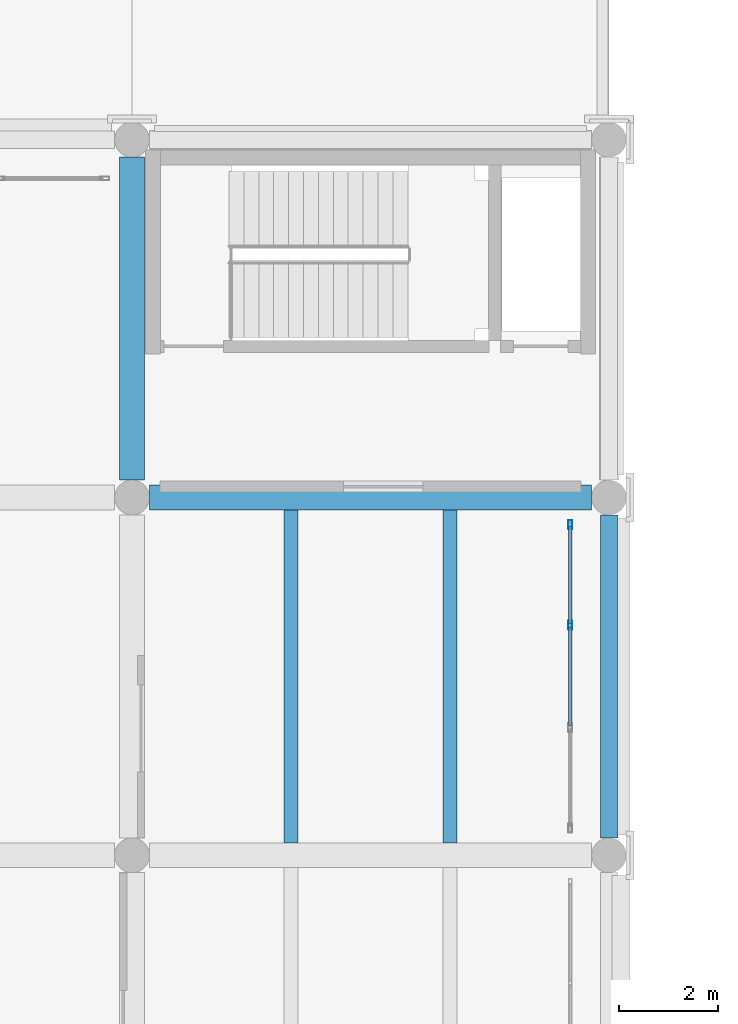
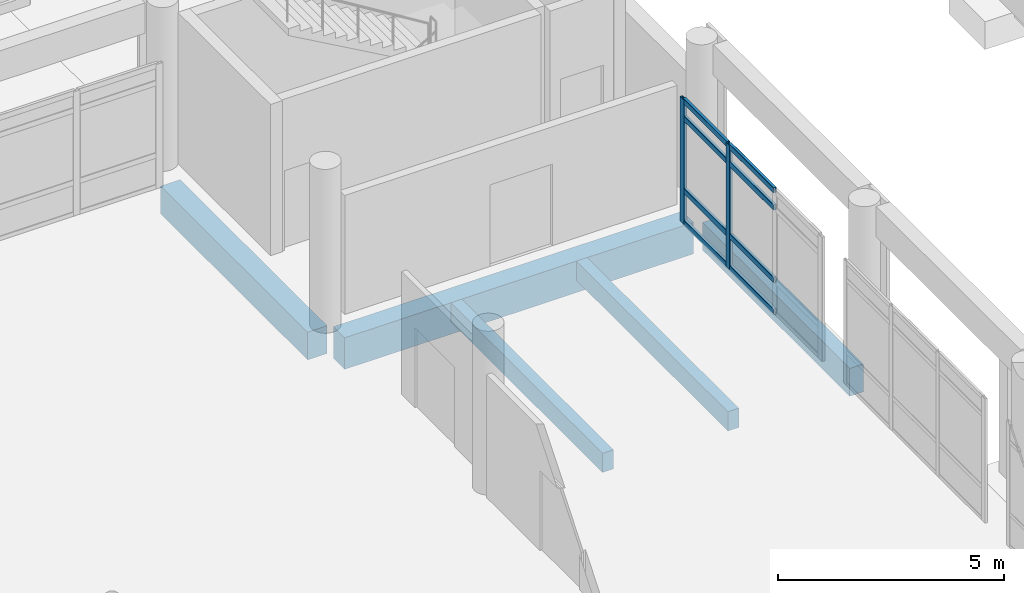
# One storey, part 43 of 196: 10 members, 5 beams, 1 element without a shape of its own.
"""IFC4 building model written with IfcOpenShell, lengths in metres."""

from ifc_helpers import new_model, si_unit, direction, frame, origin, origin_2d, place, context, subcontext, project, spatial, rectangle, hollow_rectangle, extrude, material, layer, layer_set, material_profile, profile_set, type_object, element, aggregate, save


model = new_model("IFC4")

# Units and contexts
model_context = context("Model", 3, precision=1e-05, world=origin(), true_north=direction((0.0, 1.0)))
body_context = subcontext(model_context, "Body", "Model", "MODEL_VIEW")
ifc_project = project(units=[si_unit("LENGTHUNIT", "METRE"), si_unit("AREAUNIT", "SQUARE_METRE"), si_unit("VOLUMEUNIT", "CUBIC_METRE"), si_unit("PLANEANGLEUNIT", "RADIAN"), si_unit("MASSUNIT", "GRAM", prefix="KILO")], contexts=[model_context])

# Site, building, storey
site_placement = place(None, origin())
site = spatial("IfcSite", under=ifc_project, at=site_placement, CompositionType="ELEMENT")
building_placement = place(site_placement, origin())
building = spatial("IfcBuilding", under=site, at=building_placement, Name="Asteropetra Specialist Clinic", CompositionType="ELEMENT")
storey_placement = place(building_placement, origin())
storey = spatial("IfcBuildingStorey", under=building, at=storey_placement, Name="L00", CompositionType="ELEMENT", Elevation=0.0)

# Beams
ifc_material_1 = material(Name="Concrete C35/45", Category="concrete")
ifc_material_profile_1 = material_profile(ifc_material_1, rectangle(XDim=0.5, YDim=0.75, at=origin_2d()), Name="RCB 500x750")
ifc_profile_set_1 = profile_set([ifc_material_profile_1], Name="Concrete C35/45")
beam_type_1 = type_object("IfcBeamType", Name="BM-RC500x750", PredefinedType="BEAM", material=ifc_profile_set_1)
beam_1_placement = place(storey_placement, frame((48.0, 19.550048828125, -0.715087890625), z_axis=(0.0, 1.0, 0.0), x_axis=(-1.0, 0.0, 0.0)))
element("IfcBeam", 1, at=beam_1_placement, inside=storey, type_object=beam_type_1, Name="Beam BBM04-0093", PredefinedType="BEAM", context=body_context, shape_type="SweptSolid", body=[
    extrude(rectangle(XDim=0.5, YDim=0.75, at=origin_2d()), origin(), (0.0, 0.0, 1.0), 6.5),
])
ifc_material_2 = material(Name="Concrete C35/45", Category="concrete")
ifc_material_profile_2 = material_profile(ifc_material_2, rectangle(XDim=0.5, YDim=0.85009765625, at=origin_2d()), Name="RCB 500x850")
ifc_profile_set_2 = profile_set([ifc_material_profile_2], Name="Concrete C35/45")
beam_type_2 = type_object("IfcBeamType", Name="BM-RC500x850", PredefinedType="BEAM", material=ifc_profile_set_2)
beam_2_placement = place(storey_placement, frame((48.35009765625, 19.199951171875, -0.764892578125), z_axis=(1.0, 0.0, 0.0), x_axis=(0.0, 1.0, 0.0)))
element("IfcBeam", 2, at=beam_2_placement, inside=storey, type_object=beam_type_2, Name="Beam BBM03-0024", PredefinedType="BEAM", context=body_context, shape_type="SweptSolid", body=[
    extrude(rectangle(XDim=0.5, YDim=0.85009765625, at=origin_2d()), origin(), (0.0, 0.0, 1.0), 8.89990234375),
])

# Curtain wall, members
ifc_material_3 = material(Name="Aluminium and low-E glass", Category="aluminium")
ifc_layer = layer(ifc_material_3, 0.179931640625)
ifc_layer_set = layer_set([ifc_layer], Name="Aluminium and low-E glass")
curtain_wall_type = type_object("IfcCurtainWallType", Name="CW-SYS-10", PredefinedType="USERDEFINED", material=ifc_layer_set)
curtain_wall_placement = place(storey_placement, origin())
curtain_wall = element("IfcCurtainWall", 3, at=curtain_wall_placement, inside=storey, type_object=curtain_wall_type, Name="Curtain Wall CW-132", ObjectType="STICK GLAZED COLONNADE", PredefinedType="USERDEFINED")
ifc_material_4 = material(Name="Aluminium 6063-T6", Category="aluminium")
ifc_material_profile_3 = material_profile(ifc_material_4, hollow_rectangle(XDim=0.074951171875, YDim=0.179931640625, WallThickness=0.00390625, InnerFilletRadius=0.00390625, OuterFilletRadius=0.008056640625, at=origin_2d()), Name="MUL 180x75x4.0")
ifc_profile_set_3 = profile_set([ifc_material_profile_3], Name="Aluminium 6063-T6")
member_type_1 = type_object("IfcMemberType", Name="CWM-180x75", PredefinedType="MULLION", material=ifc_profile_set_3)
member_1_placement = place(storey_placement, frame((56.820068359375, 16.6298828125, 0.0), z_axis=(0.0, 0.0, 1.0), x_axis=(-1.0, 0.0, 0.0)))
member_1 = element("IfcMember", 4, at=member_1_placement, type_object=member_type_1, Name="CW-132 mullion 3", PredefinedType="MULLION", context=body_context, shape_type="SweptSolid", body=[
    extrude(hollow_rectangle(XDim=0.074951171875, YDim=0.179931640625, WallThickness=0.00390625, InnerFilletRadius=0.00390625, OuterFilletRadius=0.008056640625, at=origin_2d()), origin(), (0.0, 0.0, 1.0), 3.35009765625),
])
member_2_placement = place(storey_placement, frame((56.820068359375, 18.652587890625, 0.0), z_axis=(0.0, 0.0, 1.0), x_axis=(-1.0, 0.0, 0.0)))
member_2 = element("IfcMember", 5, at=member_2_placement, type_object=member_type_1, Name="CW-132 mullion 4", PredefinedType="MULLION", context=body_context, shape_type="SweptSolid", body=[
    extrude(hollow_rectangle(XDim=0.074951171875, YDim=0.179931640625, WallThickness=0.00390625, InnerFilletRadius=0.00390625, OuterFilletRadius=0.008056640625, at=origin_2d()), origin(), (0.0, 0.0, 1.0), 3.35009765625),
])
ifc_material_5 = material(Name="Aluminium 6063-T6", Category="aluminium")
ifc_material_profile_4 = material_profile(ifc_material_5, hollow_rectangle(XDim=0.074951171875, YDim=0.14990234375, WallThickness=0.00390625, InnerFilletRadius=0.00390625, OuterFilletRadius=0.008056640625, at=origin_2d()), Name="TRN 150x75x4.0")
ifc_profile_set_4 = profile_set([ifc_material_profile_4], Name="Aluminium 6063-T6")
member_type_2 = type_object("IfcMemberType", Name="CWT-150x75", PredefinedType="USERDEFINED", material=ifc_profile_set_4)
member_3_placement = place(storey_placement, frame((56.820068359375, 14.607421875, 0.03759765625), z_axis=(0.0, 1.0, 0.0), x_axis=(-1.0, 0.0, 0.0)))
member_3 = element("IfcMember", 6, at=member_3_placement, type_object=member_type_2, Name="CW-132 transom 2.1", ObjectType="TRANSOM", PredefinedType="USERDEFINED", context=body_context, shape_type="SweptSolid", body=[
    extrude(hollow_rectangle(XDim=0.074951171875, YDim=0.14990234375, WallThickness=0.00390625, InnerFilletRadius=0.00390625, OuterFilletRadius=0.008056640625, at=origin_2d()), origin(), (0.0, 0.0, 1.0), 1.985107421875),
])
member_4_placement = place(storey_placement, frame((56.820068359375, 14.607421875, 0.89990234375), z_axis=(0.0, 1.0, 0.0), x_axis=(-1.0, 0.0, 0.0)))
member_4 = element("IfcMember", 7, at=member_4_placement, type_object=member_type_2, Name="CW-132 transom 2.2", ObjectType="TRANSOM", PredefinedType="USERDEFINED", context=body_context, shape_type="SweptSolid", body=[
    extrude(hollow_rectangle(XDim=0.074951171875, YDim=0.14990234375, WallThickness=0.00390625, InnerFilletRadius=0.00390625, OuterFilletRadius=0.008056640625, at=origin_2d()), origin(), (0.0, 0.0, 1.0), 1.985107421875),
])
member_5_placement = place(storey_placement, frame((56.820068359375, 14.607421875, 2.85009765625), z_axis=(0.0, 1.0, 0.0), x_axis=(-1.0, 0.0, 0.0)))
member_5 = element("IfcMember", 8, at=member_5_placement, type_object=member_type_2, Name="CW-132 transom 2.3", ObjectType="TRANSOM", PredefinedType="USERDEFINED", context=body_context, shape_type="SweptSolid", body=[
    extrude(hollow_rectangle(XDim=0.074951171875, YDim=0.14990234375, WallThickness=0.00390625, InnerFilletRadius=0.00390625, OuterFilletRadius=0.008056640625, at=origin_2d()), origin(), (0.0, 0.0, 1.0), 1.985107421875),
])
member_6_placement = place(storey_placement, frame((56.820068359375, 14.607421875, 3.3125), z_axis=(0.0, 1.0, 0.0), x_axis=(-1.0, 0.0, 0.0)))
member_6 = element("IfcMember", 9, at=member_6_placement, type_object=member_type_2, Name="CW-132 transom 2.4", ObjectType="TRANSOM", PredefinedType="USERDEFINED", context=body_context, shape_type="SweptSolid", body=[
    extrude(hollow_rectangle(XDim=0.074951171875, YDim=0.14990234375, WallThickness=0.00390625, InnerFilletRadius=0.00390625, OuterFilletRadius=0.008056640625, at=origin_2d()), origin(), (0.0, 0.0, 1.0), 1.985107421875),
])
member_7_placement = place(storey_placement, frame((56.820068359375, 16.66748046875, 0.03759765625), z_axis=(0.0, 1.0, 0.0), x_axis=(-1.0, 0.0, 0.0)))
member_7 = element("IfcMember", 10, at=member_7_placement, type_object=member_type_2, Name="CW-132 transom 3.1", ObjectType="TRANSOM", PredefinedType="USERDEFINED", context=body_context, shape_type="SweptSolid", body=[
    extrude(hollow_rectangle(XDim=0.074951171875, YDim=0.14990234375, WallThickness=0.00390625, InnerFilletRadius=0.00390625, OuterFilletRadius=0.008056640625, at=origin_2d()), origin(), (0.0, 0.0, 1.0), 1.947509765625),
])
member_8_placement = place(storey_placement, frame((56.820068359375, 16.66748046875, 0.89990234375), z_axis=(0.0, 1.0, 0.0), x_axis=(-1.0, 0.0, 0.0)))
member_8 = element("IfcMember", 11, at=member_8_placement, type_object=member_type_2, Name="CW-132 transom 3.2", ObjectType="TRANSOM", PredefinedType="USERDEFINED", context=body_context, shape_type="SweptSolid", body=[
    extrude(hollow_rectangle(XDim=0.074951171875, YDim=0.14990234375, WallThickness=0.00390625, InnerFilletRadius=0.00390625, OuterFilletRadius=0.008056640625, at=origin_2d()), origin(), (0.0, 0.0, 1.0), 1.947509765625),
])
member_9_placement = place(storey_placement, frame((56.820068359375, 16.66748046875, 2.85009765625), z_axis=(0.0, 1.0, 0.0), x_axis=(-1.0, 0.0, 0.0)))
member_9 = element("IfcMember", 12, at=member_9_placement, type_object=member_type_2, Name="CW-132 transom 3.3", ObjectType="TRANSOM", PredefinedType="USERDEFINED", context=body_context, shape_type="SweptSolid", body=[
    extrude(hollow_rectangle(XDim=0.074951171875, YDim=0.14990234375, WallThickness=0.00390625, InnerFilletRadius=0.00390625, OuterFilletRadius=0.008056640625, at=origin_2d()), origin(), (0.0, 0.0, 1.0), 1.947509765625),
])
member_10_placement = place(storey_placement, frame((56.820068359375, 16.66748046875, 3.3125), z_axis=(0.0, 1.0, 0.0), x_axis=(-1.0, 0.0, 0.0)))
member_10 = element("IfcMember", 13, at=member_10_placement, type_object=member_type_2, Name="CW-132 transom 3.4", ObjectType="TRANSOM", PredefinedType="USERDEFINED", context=body_context, shape_type="SweptSolid", body=[
    extrude(hollow_rectangle(XDim=0.074951171875, YDim=0.14990234375, WallThickness=0.00390625, InnerFilletRadius=0.00390625, OuterFilletRadius=0.008056640625, at=origin_2d()), origin(), (0.0, 0.0, 1.0), 1.947509765625),
])
aggregate(curtain_wall, [member_1, member_2, member_3, member_4, member_5, member_6, member_7, member_8, member_9, member_10])

# Beams
ifc_material_6 = material(Name="Concrete C35/45", Category="concrete")
ifc_material_profile_5 = material_profile(ifc_material_6, rectangle(XDim=0.280029296875, YDim=0.52001953125, at=origin_2d()), Name="RCJ 280x520")
ifc_profile_set_5 = profile_set([ifc_material_profile_5], Name="Concrete C35/45")
beam_type_3 = type_object("IfcBeamType", Name="JST-RC280x520", PredefinedType="JOIST", material=ifc_profile_set_5)
for number, where, z_axis, x_axis, name in (
    (14, (51.199951171875, 12.25, -0.60009765625), (0.0, 1.0, 0.0), (-1.0, 0.0, 0.0), "Joist JJST01-0086"),
    (15, (54.39990234375, 12.25, -0.60009765625), (0.0, 1.0, 0.0), (-1.0, 0.0, 0.0), "Joist JJST01-0087"),
):
    element("IfcBeam", number, at=place(storey_placement, frame(where, z_axis=z_axis, x_axis=x_axis)), inside=storey, type_object=beam_type_3, Name=name, PredefinedType="JOIST", context=body_context, shape_type="SweptSolid", body=[
        extrude(rectangle(XDim=0.280029296875, YDim=0.52001953125, at=origin_2d()), origin(), (0.0, 0.0, 1.0), 6.699951171875),
    ])
ifc_material_7 = material(Name="Concrete C35/45", Category="concrete")
ifc_material_profile_6 = material_profile(ifc_material_7, rectangle(XDim=0.35009765625, YDim=0.75, at=origin_2d()), Name="RCS 350x750")
ifc_profile_set_6 = profile_set([ifc_material_profile_6], Name="Concrete C35/45")
beam_type_4 = type_object("IfcBeamType", Name="SPN-RC350x750", PredefinedType="SPANDREL", material=ifc_profile_set_6)
beam_3_placement = place(storey_placement, frame((57.60009765625, 12.35009765625, -0.715087890625), z_axis=(0.0, 1.0, 0.0), x_axis=(-1.0, 0.0, 0.0)))
element("IfcBeam", 16, at=beam_3_placement, inside=storey, type_object=beam_type_4, Name="Beam BSPN01-0075", PredefinedType="SPANDREL", context=body_context, shape_type="SweptSolid", body=[
    extrude(rectangle(XDim=0.35009765625, YDim=0.75, at=origin_2d()), origin(), (0.0, 0.0, 1.0), 6.5),
])

save(model, "model.ifc")
